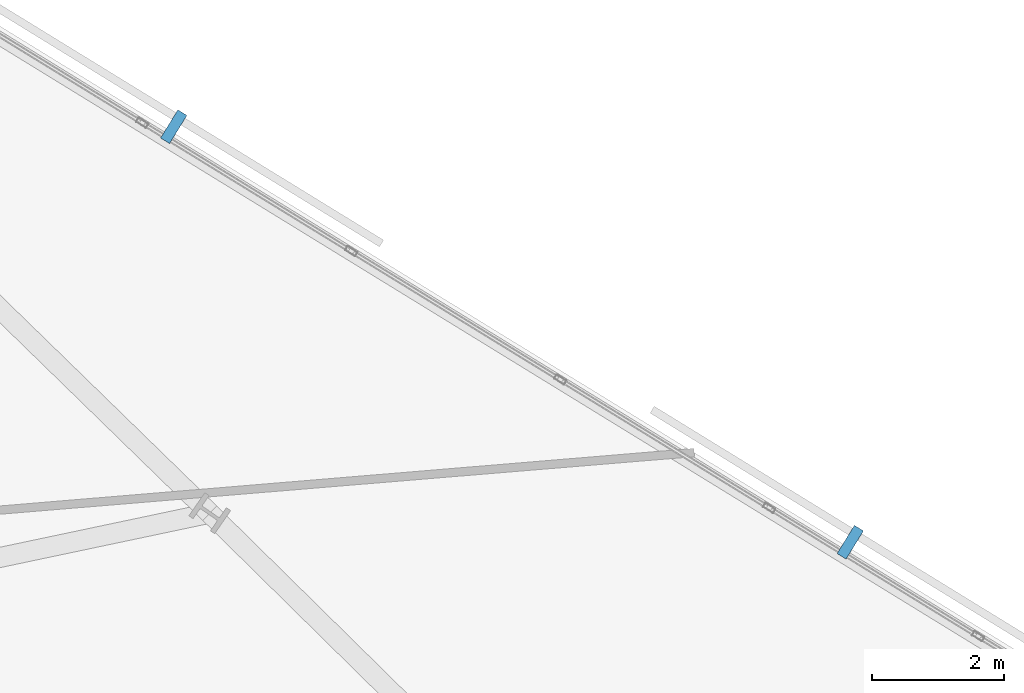
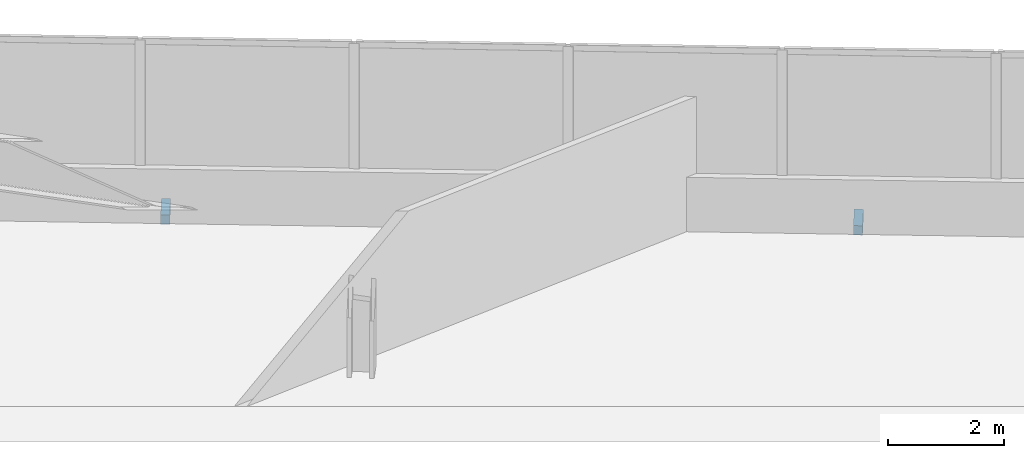
# One storey, part 16 of 19: 2 discrete accessories.
"""IFC4 building model written with IfcOpenShell, lengths in metres."""

from ifc_helpers import new_model, si_unit, direction, frame, origin, origin_2d, place, context, subcontext, project, spatial, rectangle, extrude, material, type_object, element, save


model = new_model("IFC4")

# Units and contexts
model_context = context("Model", 3, precision=1e-05, world=origin(), true_north=direction((0.0, 1.0)))
body_context = subcontext(model_context, "Body", "Model", "MODEL_VIEW")
ifc_project = project(units=[si_unit("LENGTHUNIT", "METRE"), si_unit("AREAUNIT", "SQUARE_METRE"), si_unit("VOLUMEUNIT", "CUBIC_METRE"), si_unit("PLANEANGLEUNIT", "RADIAN"), si_unit("MASSUNIT", "GRAM", prefix="KILO")], contexts=[model_context])

# Site, building, storey
site_placement = place(None, origin())
site = spatial("IfcSite", under=ifc_project, at=site_placement, CompositionType="ELEMENT")
building_placement = place(site_placement, origin())
building = spatial("IfcBuilding", under=site, at=building_placement, Name="Narakoshi Arena Tower", CompositionType="ELEMENT")
storey_placement = place(building_placement, frame((0.0, 0.0, 128.10009765625)))
storey = spatial("IfcBuildingStorey", under=building, at=storey_placement, Name="L34", CompositionType="ELEMENT", Elevation=128.10009765625)

# Discrete accessories
ifc_material = material(Name="Structural steel S355J2", Category="steel")
discrete_accessory_type = type_object("IfcDiscreteAccessoryType", Name="ACC-BRK-SCR", PredefinedType="BRACKET", material=ifc_material)
for number, where, z_axis, x_axis, name in (
    (1, (114.101318359375, 46.891845703125, -0.080078125), (0.0, 0.0, 1.0), (-0.852110807003, 0.523361416794, 0.0), "L34 Solar Screen Support Bracket SHD-L34-PLV1-1"),
    (2, (103.8759765625, 53.172119140625, -0.080078125), (0.0, 0.0, 1.0), (-0.852110807003, 0.523361416794, 0.0), "L34 Solar Screen Support Bracket SHD-L34-PLV1-2"),
):
    element("IfcDiscreteAccessory", number, at=place(storey_placement, frame(where, z_axis=z_axis, x_axis=x_axis)), inside=storey, type_object=discrete_accessory_type, Name=name, PredefinedType="BRACKET", context=body_context, shape_type="SweptSolid", body=[
        extrude(rectangle(XDim=0.159912109375, YDim=0.5, at=origin_2d()), origin(), (0.0, 0.0, 1.0), 0.199951171875),
    ])

save(model, "model.ifc")
